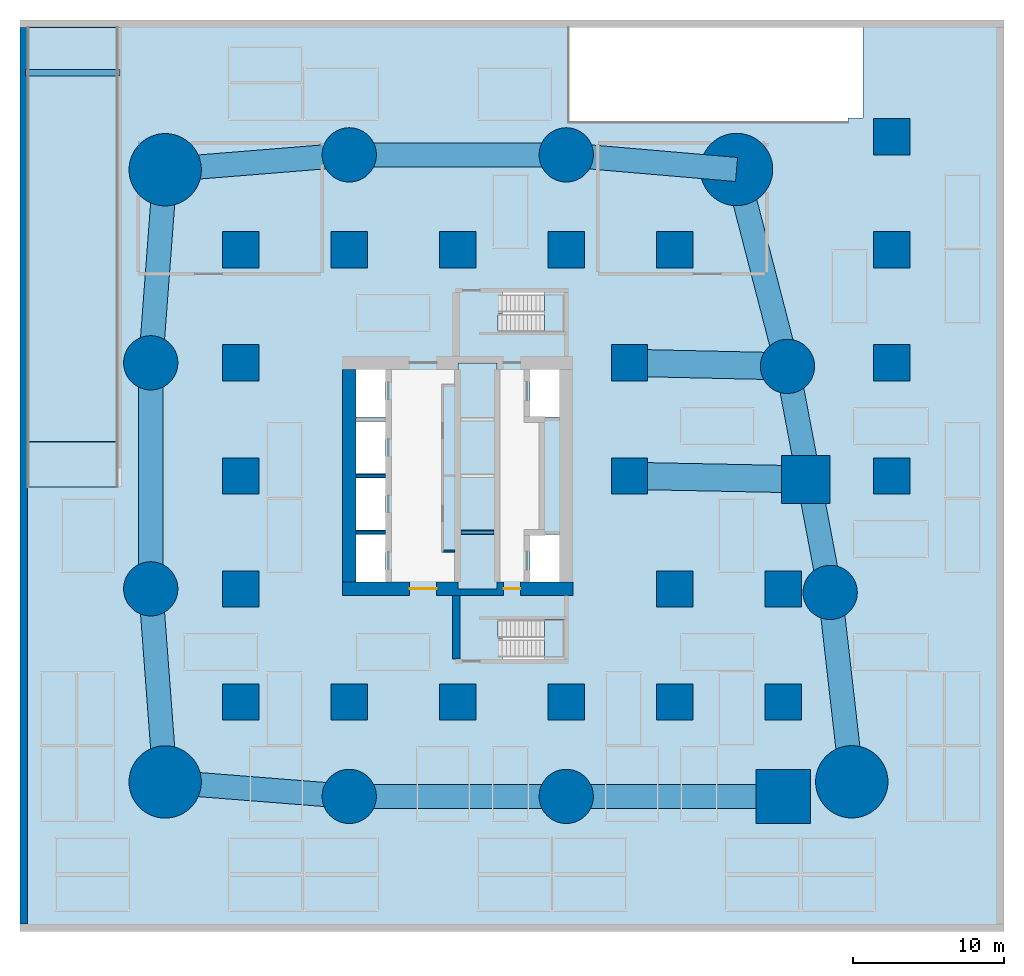
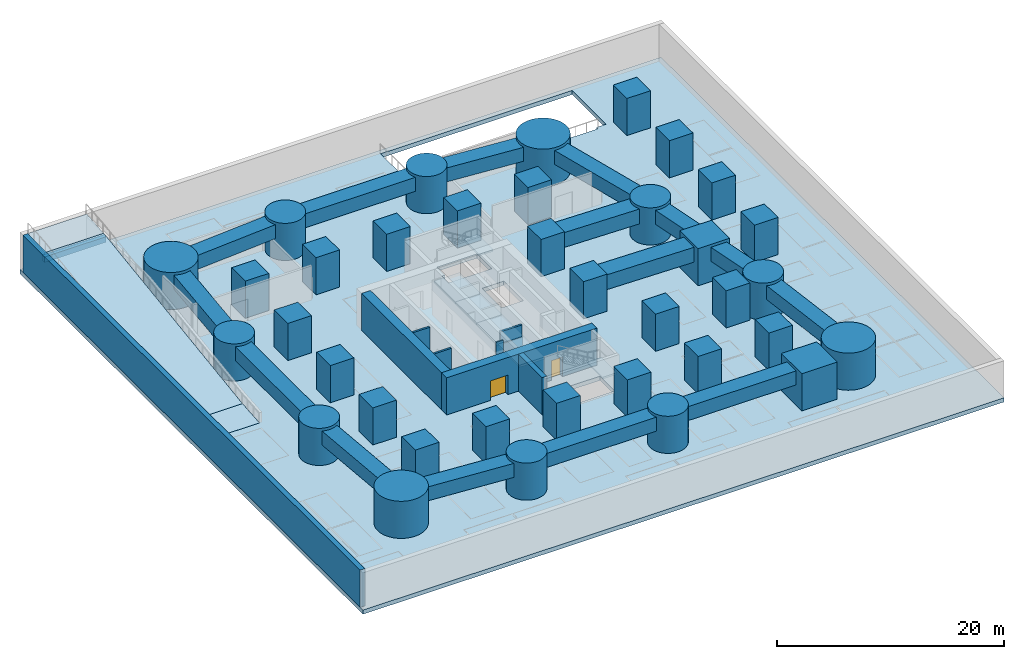
# One storey, part 1 of 8: 36 columns, 15 beams, 10 slabs, 9 walls, 2 doors, 2 openings, 3 elements without a shape of their own.
"""IFC4 building model written with IfcOpenShell, lengths in metres."""

from ifc_helpers import new_model, si_unit, direction, frame, frame_2d, origin, origin_2d, place, context, subcontext, project, spatial, polyline, rectangle, circle, outline, extrude, material, layer, layer_set, material_profile, profile_set, type_object, element, fill, aggregate, save


model = new_model("IFC4")

# Units and contexts
model_context = context("Model", 3, precision=1e-05, world=origin(), true_north=direction((0.0, 1.0)))
body_context = subcontext(model_context, "Body", "Model", "MODEL_VIEW")
ifc_project = project(units=[si_unit("LENGTHUNIT", "METRE"), si_unit("AREAUNIT", "SQUARE_METRE"), si_unit("VOLUMEUNIT", "CUBIC_METRE"), si_unit("PLANEANGLEUNIT", "RADIAN"), si_unit("MASSUNIT", "GRAM", prefix="KILO")], contexts=[model_context])

# Site, building, storey
site_placement = place(None, origin())
site = spatial("IfcSite", under=ifc_project, at=site_placement, CompositionType="ELEMENT")
building_placement = place(site_placement, origin())
building = spatial("IfcBuilding", under=site, at=building_placement, Name="Sheger Commons Tower", CompositionType="ELEMENT")
storey_placement = place(building_placement, frame((0.0, 0.0, -4.0)))
storey = spatial("IfcBuildingStorey", under=building, at=storey_placement, Name="B1", CompositionType="ELEMENT", Elevation=-4.0)

# Columns
ifc_material_1 = material(Name="Concrete C50/60", Category="concrete")
ifc_material_profile_1 = material_profile(ifc_material_1, rectangle(XDim=3.60009765625, YDim=3.60009765625, at=origin_2d()), Name="RC 3600x3600")
ifc_profile_set_1 = profile_set([ifc_material_profile_1], Name="Concrete C50/60")
column_type_1 = type_object("IfcColumnType", Name="COLUMN PILOTIS PIER RC 3600x3600", PredefinedType="COLUMN", material=ifc_profile_set_1)
column_1_placement = place(storey_placement, frame((43.199951171875, 1.22509765625, 0.0), z_axis=(0.0, 0.0, 1.0), x_axis=(1.0, 0.0, 0.0)))
element("IfcColumn", 1, at=column_1_placement, inside=storey, type_object=column_type_1, Name="Column 7/A B1", PredefinedType="COLUMN", context=body_context, shape_type="SweptSolid", body=[
    extrude(rectangle(XDim=3.60009765625, YDim=3.60009765625, at=origin_2d()), origin(), (0.0, 0.0, 1.0), 4.0),
])
ifc_material_2 = material(Name="Concrete C50/60", Category="concrete")
ifc_material_profile_2 = material_profile(ifc_material_2, circle(Radius=1.800048828125, at=origin_2d()), Name="RC D3600")
ifc_profile_set_2 = profile_set([ifc_material_profile_2], Name="Concrete C50/60")
column_type_2 = type_object("IfcColumnType", Name="COLUMN PILOTIS RC D3600", PredefinedType="COLUMN", material=ifc_profile_set_2)
for number, where, z_axis, x_axis, name in (
    (2, (14.39990234375, 1.22509765625, 0.0), (0.0, 0.0, 1.0), (1.0, 0.0, 0.0), "Column 3/A B1"),
    (3, (28.800048828125, 1.22509765625, 0.0), (0.0, 0.0, 1.0), (1.0, 0.0, 0.0), "Column 5/A B1"),
    (4, (1.22509765625, 15.0, 0.0), (0.0, 0.0, 1.0), (1.0, 0.0, 0.0), "Column 1/C B1"),
    (5, (46.31396484375, 14.762939453125, 0.0), (0.0, 0.0, 1.0), (1.0, 0.0, 0.0), "Column E/C B1"),
    (6, (1.22509765625, 30.0, 0.0), (0.0, 0.0, 1.0), (1.0, 0.0, 0.0), "Column 1/E B1"),
    (7, (43.47998046875, 29.762939453125, 0.0), (0.0, 0.0, 1.0), (1.0, 0.0, 0.0), "Column E/E B1"),
    (8, (14.39990234375, 43.800048828125, 0.0), (0.0, 0.0, 1.0), (1.0, 0.0, 0.0), "Column 3/G B1"),
    (9, (28.800048828125, 43.800048828125, 0.0), (0.0, 0.0, 1.0), (1.0, 0.0, 0.0), "Column 5/G B1"),
):
    element("IfcColumn", number, at=place(storey_placement, frame(where, z_axis=z_axis, x_axis=x_axis)), inside=storey, type_object=column_type_2, Name=name, PredefinedType="COLUMN", context=body_context, shape_type="SweptSolid", body=[
        extrude(circle(Radius=1.800048828125, at=origin_2d()), origin(), (0.0, 0.0, 1.0), 4.0),
    ])
ifc_material_3 = material(Name="Concrete C50/60", Category="concrete")
ifc_material_profile_3 = material_profile(ifc_material_3, circle(Radius=2.39990234375, at=origin_2d()), Name="RC D4800")
ifc_profile_set_3 = profile_set([ifc_material_profile_3], Name="Concrete C50/60")
column_type_3 = type_object("IfcColumnType", Name="COLUMN PILOTIS RC D4800", PredefinedType="COLUMN", material=ifc_profile_set_3)
for number, where, z_axis, x_axis, name in (
    (10, (2.18603515625, 2.18603515625, 0.0), (0.0, 0.0, 1.0), (1.0, 0.0, 0.0), "Column 0.630,0.630 B1"),
    (11, (47.748046875, 2.197021484375, 0.0), (0.0, 0.0, 1.0), (1.0, 0.0, 0.0), "Column 49.461,0.778 B1"),
    (12, (2.18603515625, 42.81396484375, 0.0), (0.0, 0.0, 1.0), (1.0, 0.0, 0.0), "Column 0.630,44.370 B1"),
    (13, (40.10205078125, 42.830078125, 0.0), (0.0, 0.0, 1.0), (1.0, 0.0, 0.0), "Column 41.490,44.505 B1"),
):
    element("IfcColumn", number, at=place(storey_placement, frame(where, z_axis=z_axis, x_axis=x_axis)), inside=storey, type_object=column_type_3, Name=name, PredefinedType="COLUMN", context=body_context, shape_type="SweptSolid", body=[
        extrude(circle(Radius=2.39990234375, at=origin_2d()), origin(), (0.0, 0.0, 1.0), 4.0),
    ])
ifc_material_4 = material(Name="Concrete C50/60", Category="concrete")
ifc_material_profile_4 = material_profile(ifc_material_4, rectangle(XDim=2.39990234375, YDim=2.39990234375, at=origin_2d()), Name="RC 2400x2400")
ifc_profile_set_4 = profile_set([ifc_material_profile_4], Name="Concrete C50/60")
column_type_4 = type_object("IfcColumnType", Name="COLUMN RC 2400x2400", PredefinedType="COLUMN", material=ifc_profile_set_4)
for number, where, z_axis, x_axis, name in (
    (14, (7.199951171875, 7.5, 0.0), (0.0, 0.0, 1.0), (1.0, 0.0, 0.0), "Column 2/B B1"),
    (15, (14.39990234375, 7.5, 0.0), (0.0, 0.0, 1.0), (1.0, 0.0, 0.0), "Column 3/B B1"),
    (16, (21.60009765625, 7.5, 0.0), (0.0, 0.0, 1.0), (1.0, 0.0, 0.0), "Column 4/B B1"),
    (17, (28.800048828125, 7.5, 0.0), (0.0, 0.0, 1.0), (1.0, 0.0, 0.0), "Column 5/B B1"),
    (18, (36.0, 7.5, 0.0), (0.0, 0.0, 1.0), (1.0, 0.0, 0.0), "Column 6/B B1"),
    (19, (43.199951171875, 7.5, 0.0), (0.0, 0.0, 1.0), (1.0, 0.0, 0.0), "Column 7/B B1"),
    (20, (7.199951171875, 15.0, 0.0), (0.0, 0.0, 1.0), (1.0, 0.0, 0.0), "Column 2/C B1"),
    (21, (36.0, 15.0, 0.0), (0.0, 0.0, 1.0), (1.0, 0.0, 0.0), "Column 6/C B1"),
    (22, (43.199951171875, 15.0, 0.0), (0.0, 0.0, 1.0), (1.0, 0.0, 0.0), "Column 7/C B1"),
    (23, (7.199951171875, 22.5, 0.0), (0.0, 0.0, 1.0), (1.0, 0.0, 0.0), "Column 2/D B1"),
    (24, (33.0, 22.5, 0.0), (0.0, 0.0, 1.0), (1.0, 0.0, 0.0), "Column 6-3000/D B1"),
    (25, (50.39990234375, 22.5, 0.0), (0.0, 0.0, 1.0), (1.0, 0.0, 0.0), "Column 8/D B1"),
    (26, (7.199951171875, 30.0, 0.0), (0.0, 0.0, 1.0), (1.0, 0.0, 0.0), "Column 2/E B1"),
    (27, (33.0, 30.0, 0.0), (0.0, 0.0, 1.0), (1.0, 0.0, 0.0), "Column 6-3000/E B1"),
    (28, (50.39990234375, 30.0, 0.0), (0.0, 0.0, 1.0), (1.0, 0.0, 0.0), "Column 8/E B1"),
    (29, (7.199951171875, 37.5, 0.0), (0.0, 0.0, 1.0), (1.0, 0.0, 0.0), "Column 2/F B1"),
    (30, (14.39990234375, 37.5, 0.0), (0.0, 0.0, 1.0), (1.0, 0.0, 0.0), "Column 3/F B1"),
    (31, (21.60009765625, 37.5, 0.0), (0.0, 0.0, 1.0), (1.0, 0.0, 0.0), "Column 4/F B1"),
    (32, (28.800048828125, 37.5, 0.0), (0.0, 0.0, 1.0), (1.0, 0.0, 0.0), "Column 5/F B1"),
    (33, (36.0, 37.5, 0.0), (0.0, 0.0, 1.0), (1.0, 0.0, 0.0), "Column 6/F B1"),
    (34, (50.39990234375, 37.5, 0.0), (0.0, 0.0, 1.0), (1.0, 0.0, 0.0), "Column 8/F B1"),
    (35, (50.39990234375, 45.0, 0.0), (0.0, 0.0, 1.0), (1.0, 0.0, 0.0), "Column 8/G B1"),
):
    element("IfcColumn", number, at=place(storey_placement, frame(where, z_axis=z_axis, x_axis=x_axis)), inside=storey, type_object=column_type_4, Name=name, PredefinedType="COLUMN", context=body_context, shape_type="SweptSolid", body=[
        extrude(rectangle(XDim=2.39990234375, YDim=2.39990234375, at=origin_2d()), origin(), (0.0, 0.0, 1.0), 4.0),
    ])
ifc_material_5 = material(Name="Concrete C50/60", Category="concrete")
ifc_material_profile_5 = material_profile(ifc_material_5, rectangle(XDim=3.199951171875, YDim=3.199951171875, at=origin_2d()), Name="RC 3200x3200")
ifc_profile_set_5 = profile_set([ifc_material_profile_5], Name="Concrete C50/60")
column_type_5 = type_object("IfcColumnType", Name="COLUMN RC 3200x3200", PredefinedType="COLUMN", material=ifc_profile_set_5)
column_2_placement = place(storey_placement, frame((44.697021484375, 22.262939453125, 0.0), z_axis=(0.0, 0.0, 1.0), x_axis=(1.0, 0.0, 0.0)))
element("IfcColumn", 36, at=column_2_placement, inside=storey, type_object=column_type_5, Name="Column 7/D B1", PredefinedType="COLUMN", context=body_context, shape_type="SweptSolid", body=[
    extrude(rectangle(XDim=3.199951171875, YDim=3.199951171875, at=origin_2d()), origin(), (0.0, 0.0, 1.0), 4.0),
])

# Beams
ifc_material_6 = material(Name="Concrete C50/60", Category="concrete")
ifc_material_profile_6 = material_profile(ifc_material_6, rectangle(XDim=1.60009765625, YDim=1.5, at=origin_2d()), Name="RC 1600x1500")
ifc_profile_set_6 = profile_set([ifc_material_profile_6], Name="Concrete C50/60")
beam_type_1 = type_object("IfcBeamType", Name="BEAM RC 1600x1500", PredefinedType="BEAM", material=ifc_profile_set_6)
beam_1_placement = place(storey_placement, frame((2.18603515625, 2.18603515625, 2.949951171875), z_axis=(0.996919342492, -0.078433567843, 0.0), x_axis=(0.078433567843, 0.996919342492, 0.0)))
element("IfcBeam", 37, at=beam_1_placement, inside=storey, type_object=beam_type_1, Name="Beam 0.630,0.630-3/A under L00", PredefinedType="BEAM", context=body_context, shape_type="SweptSolid", body=[
    extrude(rectangle(XDim=1.60009765625, YDim=1.5, at=origin_2d()), origin(), (0.0, 0.0, 1.0), 12.251708984375),
])
beam_2_placement = place(storey_placement, frame((14.39990234375, 1.22509765625, 2.949951171875), z_axis=(1.0, 0.0, 0.0), x_axis=(0.0, 1.0, 0.0)))
element("IfcBeam", 38, at=beam_2_placement, inside=storey, type_object=beam_type_1, Name="Beam 3/A-5/A under L00", PredefinedType="BEAM", context=body_context, shape_type="SweptSolid", body=[
    extrude(rectangle(XDim=1.60009765625, YDim=1.5, at=origin_2d()), origin(), (0.0, 0.0, 1.0), 14.400146484375),
])
beam_3_placement = place(storey_placement, frame((28.800048828125, 1.22509765625, 2.949951171875), z_axis=(1.0, 0.0, 0.0), x_axis=(0.0, 1.0, 0.0)))
element("IfcBeam", 39, at=beam_3_placement, inside=storey, type_object=beam_type_1, Name="Beam 5/A-7/A under L00", PredefinedType="BEAM", context=body_context, shape_type="SweptSolid", body=[
    extrude(rectangle(XDim=1.60009765625, YDim=1.5, at=origin_2d()), origin(), (0.0, 0.0, 1.0), 14.39990234375),
])
beam_4_placement = place(storey_placement, frame((47.748046875, 2.197021484375, 2.949951171875), z_axis=(-0.113388708633, 0.993550703666, 0.0), x_axis=(-0.993550703666, -0.113388708633, 0.0)))
element("IfcBeam", 40, at=beam_4_placement, inside=storey, type_object=beam_type_1, Name="Beam 49.461,0.778-E/C under L00", PredefinedType="BEAM", context=body_context, shape_type="SweptSolid", body=[
    extrude(rectangle(XDim=1.60009765625, YDim=1.5, at=origin_2d()), origin(), (0.0, 0.0, 1.0), 12.6474609375),
])
beam_5_placement = place(storey_placement, frame((46.31396484375, 14.762939453125, 2.949951171875), z_axis=(-0.185647953645, 0.982616322533, 0.0), x_axis=(-0.982616322533, -0.185647953645, 0.0)))
element("IfcBeam", 41, at=beam_5_placement, inside=storey, type_object=beam_type_1, Name="Beam E/C-E/E under L00", PredefinedType="BEAM", context=body_context, shape_type="SweptSolid", body=[
    extrude(rectangle(XDim=1.60009765625, YDim=1.5, at=origin_2d()), origin(), (0.0, 0.0, 1.0), 15.265380859375),
])
beam_6_placement = place(storey_placement, frame((43.47998046875, 29.762939453125, 2.949951171875), z_axis=(-0.250278460129, 0.968173895742, 0.0), x_axis=(-0.968173895742, -0.250278460129, 0.0)))
element("IfcBeam", 42, at=beam_6_placement, inside=storey, type_object=beam_type_1, Name="Beam E/E-41.490,44.505 under L00", PredefinedType="BEAM", context=body_context, shape_type="SweptSolid", body=[
    extrude(rectangle(XDim=1.60009765625, YDim=1.5, at=origin_2d()), origin(), (0.0, 0.0, 1.0), 13.49658203125),
])
beam_7_placement = place(storey_placement, frame((40.10205078125, 42.830078125, 2.949951171875), z_axis=(-0.996337434304, 0.085508578543, 0.0), x_axis=(-0.085508578543, -0.996337434304, 0.0)))
element("IfcBeam", 43, at=beam_7_placement, inside=storey, type_object=beam_type_1, Name="Beam 41.490,44.505-5/G under L00", PredefinedType="BEAM", context=body_context, shape_type="SweptSolid", body=[
    extrude(rectangle(XDim=1.60009765625, YDim=1.5, at=origin_2d()), origin(), (0.0, 0.0, 1.0), 11.343505859375),
])
beam_8_placement = place(storey_placement, frame((28.800048828125, 43.800048828125, 2.949951171875), z_axis=(-1.0, 0.0, 0.0), x_axis=(0.0, -1.0, 0.0)))
element("IfcBeam", 44, at=beam_8_placement, inside=storey, type_object=beam_type_1, Name="Beam 5/G-3/G under L00", PredefinedType="BEAM", context=body_context, shape_type="SweptSolid", body=[
    extrude(rectangle(XDim=1.60009765625, YDim=1.5, at=origin_2d()), origin(), (0.0, 0.0, 1.0), 14.400146484375),
])
beam_9_placement = place(storey_placement, frame((14.39990234375, 43.800048828125, 2.949951171875), z_axis=(-0.996756793053, -0.080472948891, 0.0), x_axis=(0.080472948891, -0.996756793053, 0.0)))
element("IfcBeam", 45, at=beam_9_placement, inside=storey, type_object=beam_type_1, Name="Beam 3/G-0.630,44.370 under L00", PredefinedType="BEAM", context=body_context, shape_type="SweptSolid", body=[
    extrude(rectangle(XDim=1.60009765625, YDim=1.5, at=origin_2d()), origin(), (0.0, 0.0, 1.0), 12.253662109375),
])
beam_10_placement = place(storey_placement, frame((2.18603515625, 42.81396484375, 2.949951171875), z_axis=(-0.074781446354, -0.997199947494, 0.0), x_axis=(0.997199947494, -0.074781446354, 0.0)))
element("IfcBeam", 46, at=beam_10_placement, inside=storey, type_object=beam_type_1, Name="Beam 0.630,44.370-1/E under L00", PredefinedType="BEAM", context=body_context, shape_type="SweptSolid", body=[
    extrude(rectangle(XDim=1.60009765625, YDim=1.5, at=origin_2d()), origin(), (0.0, 0.0, 1.0), 12.849853515625),
])
beam_11_placement = place(storey_placement, frame((1.22509765625, 30.0, 2.949951171875), z_axis=(0.0, -1.0, 0.0), x_axis=(1.0, 0.0, 0.0)))
element("IfcBeam", 47, at=beam_11_placement, inside=storey, type_object=beam_type_1, Name="Beam 1/E-1/C under L00", PredefinedType="BEAM", context=body_context, shape_type="SweptSolid", body=[
    extrude(rectangle(XDim=1.60009765625, YDim=1.5, at=origin_2d()), origin(), (0.0, 0.0, 1.0), 15.0),
])
beam_12_placement = place(storey_placement, frame((1.22509765625, 15.0, 2.949951171875), z_axis=(0.074781446354, -0.997199947494, 0.0), x_axis=(0.997199947494, 0.074781446354, 0.0)))
element("IfcBeam", 48, at=beam_12_placement, inside=storey, type_object=beam_type_1, Name="Beam 1/C-0.630,0.630 under L00", PredefinedType="BEAM", context=body_context, shape_type="SweptSolid", body=[
    extrude(rectangle(XDim=1.60009765625, YDim=1.5, at=origin_2d()), origin(), (0.0, 0.0, 1.0), 12.849853515625),
])
ifc_material_7 = material(Name="Concrete C50/60", Category="concrete")
ifc_material_profile_7 = material_profile(ifc_material_7, rectangle(XDim=1.800048828125, YDim=1.60009765625, at=origin_2d()), Name="RC 1800x1600")
ifc_profile_set_7 = profile_set([ifc_material_profile_7], Name="Concrete C50/60")
beam_type_2 = type_object("IfcBeamType", Name="BEAM RC 1800x1600", PredefinedType="BEAM", material=ifc_profile_set_7)
beam_13_placement = place(storey_placement, frame((33.0, 22.5, 2.89990234375), z_axis=(0.999794692776, -0.02026258368, 0.0), x_axis=(0.02026258368, 0.999794692776, 0.0)))
element("IfcBeam", 49, at=beam_13_placement, inside=storey, type_object=beam_type_2, Name="Beam 6-3000/D-7/D under L00", PredefinedType="BEAM", context=body_context, shape_type="SweptSolid", body=[
    extrude(rectangle(XDim=1.800048828125, YDim=1.60009765625, at=origin_2d()), origin(), (0.0, 0.0, 1.0), 11.699462890625),
])
beam_14_placement = place(storey_placement, frame((33.0, 30.0, 2.89990234375), z_axis=(0.999744258625, -0.022614538395, 0.0), x_axis=(0.022614538395, 0.999744258625, 0.0)))
element("IfcBeam", 50, at=beam_14_placement, inside=storey, type_object=beam_type_2, Name="Beam 6-3000/E-E/E under L00", PredefinedType="BEAM", context=body_context, shape_type="SweptSolid", body=[
    extrude(rectangle(XDim=1.800048828125, YDim=1.60009765625, at=origin_2d()), origin(), (0.0, 0.0, 1.0), 10.482666015625),
])
ifc_material_8 = material(Name="Concrete C35/45", Category="concrete")
ifc_material_profile_8 = material_profile(ifc_material_8, rectangle(XDim=0.39990234375, YDim=0.60009765625, at=origin_2d()), Name="RC 400x600")
ifc_profile_set_8 = profile_set([ifc_material_profile_8], Name="Concrete C35/45")
beam_type_3 = type_object("IfcBeamType", Name="RAMP BEAM RC 400x600", PredefinedType="BEAM", material=ifc_profile_set_8)
beam_15_placement = place(storey_placement, frame((-7.10009765625, 49.25, 3.14990234375), z_axis=(1.0, 0.0, 0.0), x_axis=(0.0, 1.0, 0.0)))
element("IfcBeam", 51, at=beam_15_placement, inside=storey, type_object=beam_type_3, Name="R1 ramp beam at the head of the main run", PredefinedType="BEAM", context=body_context, shape_type="SweptSolid", body=[
    extrude(rectangle(XDim=0.39990234375, YDim=0.60009765625, at=origin_2d()), origin(), (0.0, 0.0, 1.0), 6.275146484375),
])

# Slabs
ifc_material_9 = material(Name="Concrete C40/50", Category="concrete")
ifc_layer_1 = layer(ifc_material_9, 0.25)
ifc_layer_set_1 = layer_set([ifc_layer_1], Name="LIFT PIT SLAB 250")
slab_type_1 = type_object("IfcSlabType", Name="LIFT PIT SLAB 250", PredefinedType="FLOOR", material=ifc_layer_set_1)
slab_1_placement = place(storey_placement, frame((0.0, 0.0, 2.14990234375)))
element("IfcSlab", 52, at=slab_1_placement, inside=storey, type_object=slab_type_1, Name="Lift LB1 pit slab", PredefinedType="FLOOR", context=body_context, shape_type="SweptSolid", body=[
    extrude(outline(polyline([(21.60009765625, 15.0), (24.199951171875, 15.0), (24.199951171875, 18.75), (21.60009765625, 18.75), (21.60009765625, 15.0)])), origin(), (0.0, 0.0, 1.0), 0.25),
])
slab_2_placement = place(storey_placement, frame((0.0, 0.0, 2.14990234375)))
element("IfcSlab", 53, at=slab_2_placement, inside=storey, type_object=slab_type_1, Name="Lift LB2 pit slab", PredefinedType="FLOOR", context=body_context, shape_type="SweptSolid", body=[
    extrude(outline(polyline([(21.60009765625, 18.75), (24.199951171875, 18.75), (24.199951171875, 22.5), (21.60009765625, 22.5), (21.60009765625, 18.75)])), origin(), (0.0, 0.0, 1.0), 0.25),
])
slab_3_placement = place(storey_placement, frame((0.0, 0.0, 2.14990234375)))
element("IfcSlab", 54, at=slab_3_placement, inside=storey, type_object=slab_type_1, Name="Lift LB3 pit slab", PredefinedType="FLOOR", context=body_context, shape_type="SweptSolid", body=[
    extrude(outline(polyline([(21.60009765625, 22.5), (24.199951171875, 22.5), (24.199951171875, 26.25), (21.60009765625, 26.25), (21.60009765625, 22.5)])), origin(), (0.0, 0.0, 1.0), 0.25),
])
slab_4_placement = place(storey_placement, frame((0.0, 0.0, 2.14990234375)))
element("IfcSlab", 55, at=slab_4_placement, inside=storey, type_object=slab_type_1, Name="Lift LB4 pit slab", PredefinedType="FLOOR", context=body_context, shape_type="SweptSolid", body=[
    extrude(outline(polyline([(21.60009765625, 26.25), (24.199951171875, 26.25), (24.199951171875, 30.0), (21.60009765625, 30.0), (21.60009765625, 26.25)])), origin(), (0.0, 0.0, 1.0), 0.25),
])

# Assembly, slabs
ifc_material_10 = material(Name="Concrete C35/45", Category="concrete")
element_assembly_type = type_object("IfcElementAssemblyType", Name="RAMP STRAIGHT 6000", PredefinedType="NOTDEFINED", material=ifc_material_10)
assembly_placement = place(storey_placement, origin())
assembly = element("IfcElementAssembly", 56, at=assembly_placement, inside=storey, type_object=element_assembly_type, Name="Car park entry ramp R1", PredefinedType="NOTDEFINED")
ifc_material_11 = material(Name="Concrete C35/45", Category="concrete")
slab_type_2 = type_object("IfcSlabType", Name="RAMP SLAB 300", PredefinedType="FLOOR", material=ifc_material_11)
slab_5_placement = place(storey_placement, frame((-6.949951171875, 49.25, 3.75), z_axis=(0.0, -0.083045479854, 0.996545758245), x_axis=(1.0, 0.0, 0.0)))
slab_5 = element("IfcSlab", 57, at=slab_5_placement, type_object=slab_type_2, Name="R1 upper transition", ObjectType="Car park ramp slab", PredefinedType="FLOOR", context=body_context, shape_type="SweptSolid", body=[
    extrude(outline(polyline([(0.0, 0.0), (6.0, 0.0), (6.0, 3.010398644698074), (0.0, 3.010398644698074), (0.0, 0.0)])), origin(), (0.0, 0.0, -1.0), 0.300048828125),
])
slab_6_placement = place(storey_placement, frame((-6.949951171875, 24.75, 0.25), z_axis=(0.0, -0.141421356237, 0.989949493661), x_axis=(1.0, 0.0, 0.0)))
slab_6 = element("IfcSlab", 58, at=slab_6_placement, type_object=slab_type_2, Name="R1 main run", ObjectType="Car park ramp slab", PredefinedType="FLOOR", context=body_context, shape_type="SweptSolid", body=[
    extrude(outline(polyline([(0.0, 0.0), (6.0, 0.0), (6.0, 24.74873734152916), (0.0, 24.74873734152916), (0.0, 0.0)])), origin(), (0.0, 0.0, -1.0), 0.300048828125),
])
slab_7_placement = place(storey_placement, frame((-6.949951171875, 21.75, 0.0), z_axis=(0.0, -0.083045479854, 0.996545758245), x_axis=(1.0, 0.0, 0.0)))
slab_7 = element("IfcSlab", 59, at=slab_7_placement, type_object=slab_type_2, Name="R1 lower transition", ObjectType="Car park ramp slab", PredefinedType="FLOOR", context=body_context, shape_type="SweptSolid", body=[
    extrude(outline(polyline([(0.0, 0.0), (6.0, 0.0), (6.0, 3.010398644698074), (0.0, 3.010398644698074), (0.0, 0.0)])), origin(), (0.0, 0.0, -1.0), 0.300048828125),
])
aggregate(assembly, [slab_5, slab_6, slab_7])

# Slab
ifc_material_12 = material(Name="Concrete C35/45", Category="concrete")
ifc_layer_2 = layer(ifc_material_12, 0.449951171875)
ifc_layer_set_2 = layer_set([ifc_layer_2], Name="SLAB FLOOR 450")
slab_type_3 = type_object("IfcSlabType", Name="SLAB FLOOR 450", PredefinedType="FLOOR", material=ifc_layer_set_2)
slab_8_placement = place(storey_placement, frame((0.0, 0.0, -0.449951171875)))
element("IfcSlab", 60, at=slab_8_placement, inside=storey, type_object=slab_type_3, Name="B1 car-park deck", PredefinedType="FLOOR", context=body_context, shape_type="SweptSolid", body=[
    extrude(outline(polyline([(-7.449951171875, -7.75), (57.85009765625, -7.75), (57.85009765625, 52.75), (-7.449951171875, 52.75), (-7.449951171875, -7.75)]), holes=[polyline([(24.570068359375, 10.35009765625), (28.64990234375, 10.35009765625), (28.64990234375, 12.949951171875), (24.27099609375, 12.949951171875), (24.27099609375, 11.75), (24.570068359375, 11.75), (24.570068359375, 10.35009765625)]), polyline([(24.27099609375, 32.050048828125), (28.64990234375, 32.050048828125), (28.64990234375, 34.64990234375), (24.570068359375, 34.64990234375), (24.570068359375, 33.25), (24.27099609375, 33.25), (24.27099609375, 32.050048828125)]), polyline([(26.39990234375, 15.14990234375), (28.60009765625, 15.14990234375), (28.60009765625, 18.60009765625), (26.39990234375, 18.60009765625), (26.39990234375, 15.14990234375)]), polyline([(26.39990234375, 26.39990234375), (28.60009765625, 26.39990234375), (28.60009765625, 29.85009765625), (26.39990234375, 29.85009765625), (26.39990234375, 26.39990234375)]), polyline([(14.60009765625, 15.14990234375), (16.800048828125, 15.14990234375), (16.800048828125, 18.60009765625), (14.60009765625, 18.60009765625), (14.60009765625, 15.14990234375)]), polyline([(14.60009765625, 18.89990234375), (16.800048828125, 18.89990234375), (16.800048828125, 22.35009765625), (14.60009765625, 22.35009765625), (14.60009765625, 18.89990234375)]), polyline([(14.60009765625, 22.64990234375), (16.800048828125, 22.64990234375), (16.800048828125, 26.10009765625), (14.60009765625, 26.10009765625), (14.60009765625, 22.64990234375)]), polyline([(14.60009765625, 26.39990234375), (16.800048828125, 26.39990234375), (16.800048828125, 29.85009765625), (14.60009765625, 29.85009765625), (14.60009765625, 26.39990234375)]), polyline([(29.0, 46.0), (47.5, 46.0), (47.5, 46.25), (48.5, 46.25), (48.5, 52.25), (29.0, 52.25), (29.0, 46.0)]), polyline([(-6.949951171875, 21.75), (-0.949951171875, 21.75), (-0.949951171875, 24.75), (-6.949951171875, 24.75), (-6.949951171875, 21.75)])]), origin(), (0.0, 0.0, 1.0), 0.449951171875),
])

# Stair, slab
ifc_material_13 = material(Name="Concrete C35/45", Category="concrete")
stair_type = type_object("IfcStairType", Name="HALF-TURN STAIR 1200 RISE 4000", PredefinedType="HALF_TURN_STAIR", material=ifc_material_13)
stair_1_placement = place(storey_placement, origin())
stair_1 = element("IfcStair", 61, at=stair_1_placement, inside=storey, type_object=stair_type, Name="Stair S1 B1", PredefinedType="HALF_TURN_STAIR")
ifc_material_14 = material(Name="Concrete C35/45", Category="concrete")
ifc_layer_3 = layer(ifc_material_14, 0.199951171875)
ifc_layer_set_3 = layer_set([ifc_layer_3], Name="STAIR LANDING 200")
slab_type_4 = type_object("IfcSlabType", Name="STAIR LANDING 200", PredefinedType="LANDING", material=ifc_layer_set_3)
slab_9_placement = place(storey_placement, frame((0.0, 0.0, 1.800048828125)))
slab_9 = element("IfcSlab", 62, at=slab_9_placement, type_object=slab_type_4, Name="S1 landing 1", PredefinedType="LANDING", context=body_context, shape_type="SweptSolid", body=[
    extrude(outline(polyline([(27.35009765625, 10.199951171875), (28.800048828125, 10.199951171875), (28.800048828125, 12.949951171875), (27.35009765625, 12.949951171875), (27.35009765625, 10.199951171875)])), origin(), (0.0, 0.0, 1.0), 0.199951171875),
])
aggregate(stair_1, [slab_9])

stair_2_placement = place(storey_placement, origin())
stair_2 = element("IfcStair", 63, at=stair_2_placement, inside=storey, type_object=stair_type, Name="Stair S2 B1", PredefinedType="HALF_TURN_STAIR")
slab_10_placement = place(storey_placement, frame((0.0, 0.0, 1.800048828125)))
slab_10 = element("IfcSlab", 64, at=slab_10_placement, type_object=slab_type_4, Name="S2 landing 1", PredefinedType="LANDING", context=body_context, shape_type="SweptSolid", body=[
    extrude(outline(polyline([(27.35009765625, 32.050048828125), (28.800048828125, 32.050048828125), (28.800048828125, 34.800048828125), (27.35009765625, 34.800048828125), (27.35009765625, 32.050048828125)])), origin(), (0.0, 0.0, 1.0), 0.199951171875),
])
aggregate(stair_2, [slab_10])

# Wall, openings, doors
ifc_material_15 = material(Name="Concrete C50/60", Category="concrete")
ifc_layer_4 = layer(ifc_material_15, 0.89990234375)
ifc_layer_set_4 = layer_set([ifc_layer_4], Name="CORE WALL 900")
wall_type_1 = type_object("IfcWallType", Name="CORE WALL 900", PredefinedType="SHEAR", material=ifc_layer_set_4)
wall_1_placement = place(storey_placement, frame((13.949951171875, 15.0, 0.0), z_axis=(0.0, 0.0, 1.0), x_axis=(1.0, 0.0, 0.0)))
wall_1 = element("IfcWall", 65, at=wall_1_placement, inside=storey, type_object=wall_type_1, Name="Core wall south B1", PredefinedType="SHEAR", context=body_context, shape_type="SweptSolid", body=[
    extrude(rectangle(XDim=15.300048828125, YDim=0.89990234375, at=frame_2d((7.64990234375, 0.0))), origin(), (0.0, 0.0, 1.0), 4.0),
])
opening_1_placement = place(wall_1_placement, frame((4.449951171875, 0.0, 0.0)))
opening_1 = element("IfcOpeningElement", 66, at=opening_1_placement, cuts=wall_1, Name="Opening D6", PredefinedType="OPENING", context=body_context, shape_type="SweptSolid", body=[
    extrude(rectangle(XDim=1.800048828125, YDim=2.10009765625, at=frame_2d((0.89990234375, 1.050048828125))), frame((0.0, 0.4599609375, 0.0), z_axis=(0.0, -1.0, 0.0), x_axis=(1.0, 0.0, 0.0)), (0.0, 0.0, 1.0), 0.919921875),
])
opening_2_placement = place(wall_1_placement, frame((10.699951171875, 0.0, 0.0)))
opening_2 = element("IfcOpeningElement", 67, at=opening_2_placement, cuts=wall_1, Name="Opening D5", PredefinedType="OPENING", context=body_context, shape_type="SweptSolid", body=[
    extrude(rectangle(XDim=1.10009765625, YDim=2.10009765625, at=frame_2d((0.550048828125, 1.050048828125))), frame((0.0, 0.4599609375, 0.0), z_axis=(0.0, -1.0, 0.0), x_axis=(1.0, 0.0, 0.0)), (0.0, 0.0, 1.0), 0.919921875),
])
ifc_material_16 = material(Name="Steel door set, fire rated", Category="steel")
door_type_1 = type_object("IfcDoorType", Name="LOBBY DOUBLE DOOR 1800x2100", OperationType="DOUBLE_DOOR_SINGLE_SWING", PredefinedType="DOOR", material=ifc_material_16)
door_1_placement = place(opening_1_placement, origin())
door_1 = element("IfcDoor", 68, at=door_1_placement, inside=storey, type_object=door_type_1, Name="Lift lobby door", OperationType="DOUBLE_DOOR_SINGLE_SWING", OverallHeight=2.10009765625, OverallWidth=1.800048828125, PredefinedType="DOOR", context=body_context, shape_type="SweptSolid", body=[
    extrude(rectangle(XDim=1.800048828125, YDim=2.10009765625, at=frame_2d((0.89990234375, 1.050048828125))), frame((0.0, 0.02490234375, 0.0), z_axis=(0.0, -1.0, 0.0), x_axis=(1.0, 0.0, 0.0)), (0.0, 0.0, 1.0), 0.050048828125),
])
fill(opening_1, door_1)
ifc_material_17 = material(Name="Steel door set, fire rated", Category="steel")
door_type_2 = type_object("IfcDoorType", Name="STAIR DOOR 1100x2100", OperationType="NOTDEFINED", PredefinedType="DOOR", material=ifc_material_17)
door_2_placement = place(opening_2_placement, origin())
door_2 = element("IfcDoor", 69, at=door_2_placement, inside=storey, type_object=door_type_2, Name="Fire-fighting lobby door", OperationType="SINGLE_SWING_RIGHT", OverallHeight=2.10009765625, OverallWidth=1.10009765625, PredefinedType="DOOR", context=body_context, shape_type="SweptSolid", body=[
    extrude(rectangle(XDim=1.10009765625, YDim=2.10009765625, at=frame_2d((0.550048828125, 1.050048828125))), frame((0.0, 0.02490234375, 0.0), z_axis=(0.0, -1.0, 0.0), x_axis=(1.0, 0.0, 0.0)), (0.0, 0.0, 1.0), 0.050048828125),
])
fill(opening_2, door_2)

# Walls
wall_2_placement = place(storey_placement, frame((14.39990234375, 15.449951171875, 0.0), z_axis=(0.0, 0.0, 1.0), x_axis=(0.0, 1.0, 0.0)))
element("IfcWall", 70, at=wall_2_placement, inside=storey, type_object=wall_type_1, Name="Core wall west B1", PredefinedType="SHEAR", context=body_context, shape_type="SweptSolid", body=[
    extrude(rectangle(XDim=14.10009765625, YDim=0.89990234375, at=frame_2d((7.050048828125, 0.0))), origin(), (0.0, 0.0, 1.0), 4.0),
])
ifc_material_18 = material(Name="Concrete C40/50", Category="concrete")
ifc_layer_5 = layer(ifc_material_18, 0.300048828125)
ifc_layer_set_5 = layer_set([ifc_layer_5], Name="LIFT PIT WALL 300")
wall_type_2 = type_object("IfcWallType", Name="LIFT PIT WALL 300", PredefinedType="SHEAR", material=ifc_layer_set_5)
wall_3_placement = place(storey_placement, frame((21.800048828125, 18.75, 0.0), z_axis=(0.0, 0.0, 1.0), x_axis=(1.0, 0.0, 0.0)))
element("IfcWall", 71, at=wall_3_placement, inside=storey, type_object=wall_type_2, Name="Lift pit wall B1", PredefinedType="SHEAR", context=body_context, shape_type="SweptSolid", body=[
    extrude(rectangle(XDim=2.199951171875, YDim=0.300048828125, at=frame_2d((1.10009765625, 0.0))), origin(), (0.0, 0.0, 1.0), 2.39990234375),
])
ifc_material_19 = material(Name="Concrete C40/50", Category="concrete")
ifc_layer_6 = layer(ifc_material_19, 0.5)
ifc_layer_set_6 = layer_set([ifc_layer_6], Name="RETAINING WALL 500")
wall_type_3 = type_object("IfcWallType", Name="RETAINING WALL 500", PredefinedType="SOLIDWALL", material=ifc_layer_set_6)
wall_4_placement = place(storey_placement, frame((-7.199951171875, 52.25, 0.0), z_axis=(0.0, 0.0, 1.0), x_axis=(0.0, -1.0, 0.0)))
element("IfcWall", 72, at=wall_4_placement, inside=storey, type_object=wall_type_3, Name="Retaining wall west B1", PredefinedType="SOLIDWALL", context=body_context, shape_type="SweptSolid", body=[
    extrude(rectangle(XDim=59.5, YDim=0.5, at=frame_2d((29.75, 0.0))), origin(), (0.0, 0.0, 1.0), 4.0),
])
ifc_material_20 = material(Name="Gypsum board on steel studs, two layers each side, fire rated", Category="steel")
ifc_layer_7 = layer(ifc_material_20, 0.125)
ifc_layer_set_7 = layer_set([ifc_layer_7], Name="SERVICE WALL 125")
wall_type_4 = type_object("IfcWallType", Name="SERVICE WALL 125", PredefinedType="PARTITIONING", material=ifc_layer_set_7)
wall_5_placement = place(storey_placement, frame((20.6630859375, 17.5, 0.0), z_axis=(0.0, 0.0, 1.0), x_axis=(1.0, 0.0, 0.0)))
element("IfcWall", 73, at=wall_5_placement, inside=storey, type_object=wall_type_4, Name="Service room wall B1", PredefinedType="PARTITIONING", context=body_context, shape_type="SweptSolid", body=[
    extrude(rectangle(XDim=0.73681640625, YDim=0.125, at=frame_2d((0.368408203125, 0.0))), origin(), (0.0, 0.0, 1.0), 3.699951171875),
])
ifc_material_21 = material(Name="Hollow concrete block masonry", Category="masonry")
ifc_layer_8 = layer(ifc_material_21, 0.199951171875)
ifc_layer_set_8 = layer_set([ifc_layer_8], Name="SHAFT WALL 200")
wall_type_5 = type_object("IfcWallType", Name="SHAFT WALL 200", PredefinedType="SOLIDWALL", material=ifc_layer_set_8)
wall_6_placement = place(storey_placement, frame((14.85009765625, 18.75, 0.0), z_axis=(0.0, 0.0, 1.0), x_axis=(1.0, 0.0, 0.0)))
element("IfcWall", 74, at=wall_6_placement, inside=storey, type_object=wall_type_5, Name="Lift shaft wall B1", PredefinedType="SOLIDWALL", context=body_context, shape_type="SweptSolid", body=[
    extrude(rectangle(XDim=1.949951171875, YDim=0.199951171875, at=frame_2d((0.97509765625, 0.0))), origin(), (0.0, 0.0, 1.0), 3.699951171875),
])
wall_7_placement = place(storey_placement, frame((21.800048828125, 18.75, 2.39990234375), z_axis=(0.0, 0.0, 1.0), x_axis=(1.0, 0.0, 0.0)))
element("IfcWall", 75, at=wall_7_placement, inside=storey, type_object=wall_type_5, Name="Lift shaft wall B1", PredefinedType="SOLIDWALL", context=body_context, shape_type="SweptSolid", body=[
    extrude(rectangle(XDim=2.199951171875, YDim=0.199951171875, at=frame_2d((1.10009765625, 0.0))), origin(), (0.0, 0.0, 1.0), 1.300048828125),
])
wall_8_placement = place(storey_placement, frame((14.85009765625, 22.5, 0.0), z_axis=(0.0, 0.0, 1.0), x_axis=(1.0, 0.0, 0.0)))
element("IfcWall", 76, at=wall_8_placement, inside=storey, type_object=wall_type_5, Name="Lift shaft wall B1", PredefinedType="SOLIDWALL", context=body_context, shape_type="SweptSolid", body=[
    extrude(rectangle(XDim=1.949951171875, YDim=0.199951171875, at=frame_2d((0.97509765625, 0.0))), origin(), (0.0, 0.0, 1.0), 3.699951171875),
])
ifc_material_22 = material(Name="Concrete C50/60", Category="concrete")
ifc_layer_9 = layer(ifc_material_22, 0.5)
ifc_layer_set_9 = layer_set([ifc_layer_9], Name="STAIR CORE WALL 500")
wall_type_6 = type_object("IfcWallType", Name="STAIR CORE WALL 500", PredefinedType="SHEAR", material=ifc_layer_set_9)
wall_9_placement = place(storey_placement, frame((21.5, 10.35009765625, 0.0), z_axis=(0.0, 0.0, 1.0), x_axis=(0.0, 1.0, 0.0)))
element("IfcWall", 77, at=wall_9_placement, inside=storey, type_object=wall_type_6, Name="STW-B1-S1W", PredefinedType="SHEAR", context=body_context, shape_type="SweptSolid", body=[
    extrude(rectangle(XDim=4.199951171875, YDim=0.5, at=frame_2d((2.10009765625, 0.0))), origin(), (0.0, 0.0, 1.0), 4.0),
])

save(model, "model.ifc")
